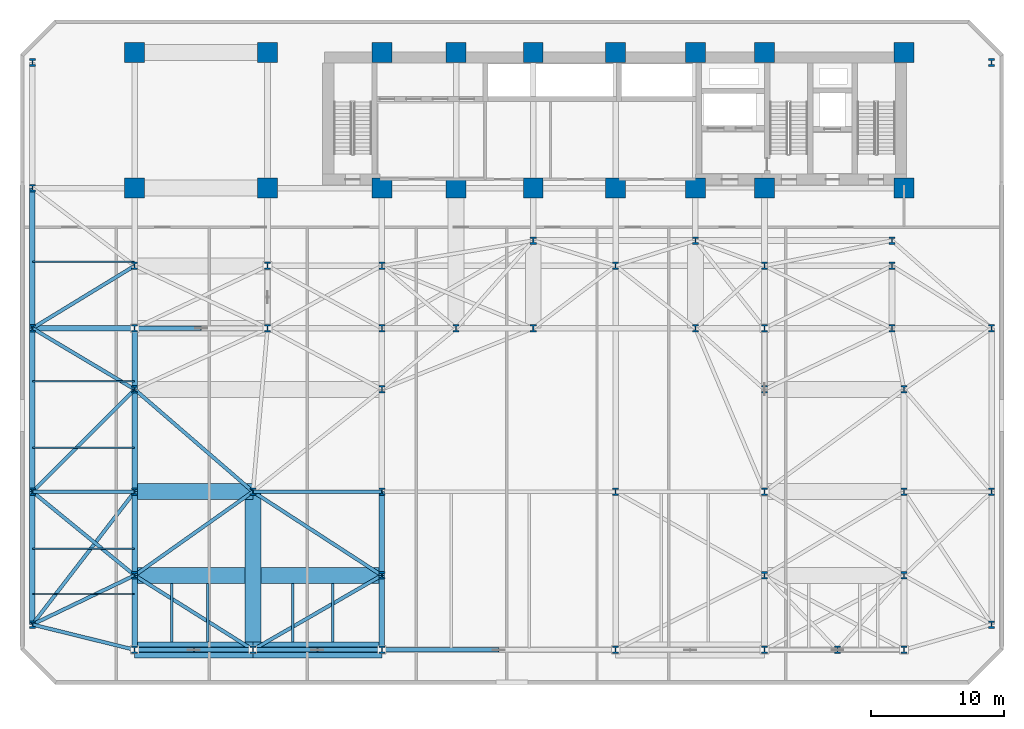
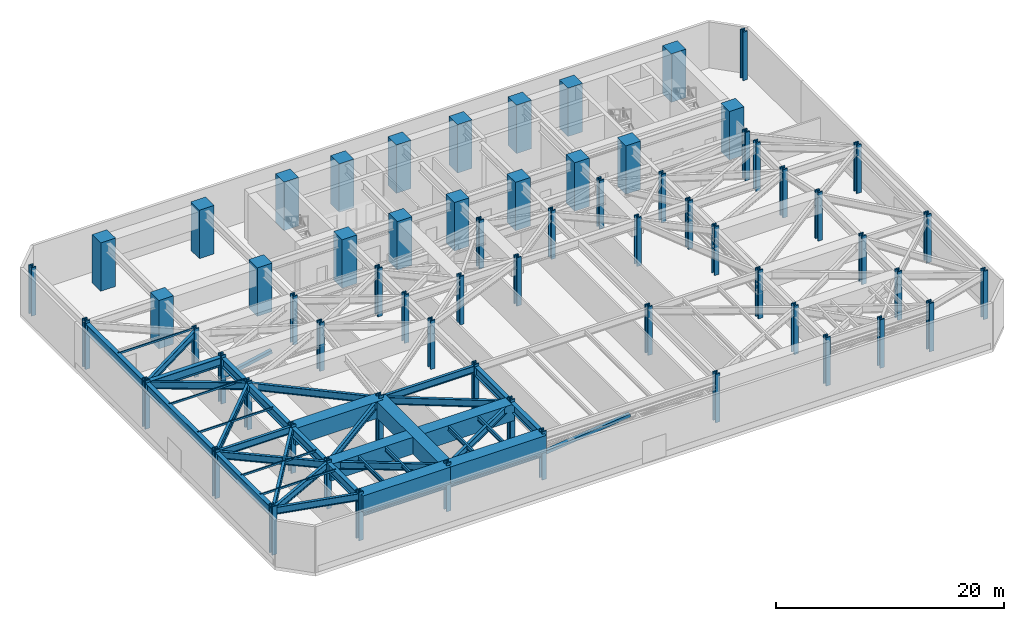
# One storey, part 1 of 14: 65 columns, 33 beams, 13 members.
"""IFC4 building model written with IfcOpenShell, lengths in metres."""

from ifc_helpers import new_model, si_unit, direction, frame, origin, origin_2d, place, context, subcontext, project, spatial, rectangle, hollow_rectangle, i_section, extrude, material, material_profile, profile_set, type_object, element, save


model = new_model("IFC4")

# Units and contexts
model_context = context("Model", 3, precision=1e-05, world=origin(), true_north=direction((0.0, 1.0)))
body_context = subcontext(model_context, "Body", "Model", "MODEL_VIEW")
ifc_project = project(units=[si_unit("LENGTHUNIT", "METRE"), si_unit("AREAUNIT", "SQUARE_METRE"), si_unit("VOLUMEUNIT", "CUBIC_METRE"), si_unit("PLANEANGLEUNIT", "RADIAN"), si_unit("MASSUNIT", "GRAM", prefix="KILO")], contexts=[model_context])

# Site, building, storey
site_placement = place(None, origin())
site = spatial("IfcSite", under=ifc_project, at=site_placement, CompositionType="ELEMENT")
building_placement = place(site_placement, origin())
building = spatial("IfcBuilding", under=site, at=building_placement, Name="Kravanh Interchange Tower", CompositionType="ELEMENT")
storey_placement = place(building_placement, frame((0.0, 0.0, 24.300048828125)))
storey = spatial("IfcBuildingStorey", under=building, at=storey_placement, Name="L05", CompositionType="ELEMENT", Elevation=24.300048828125)

# Columns
ifc_material_1 = material(Name="Concrete C80/95", Category="concrete")
ifc_material_profile_1 = material_profile(ifc_material_1, rectangle(XDim=1.5, YDim=1.5, at=origin_2d()), Name="RC1500X1500")
ifc_profile_set_1 = profile_set([ifc_material_profile_1], Name="Concrete C80/95")
column_type_1 = type_object("IfcColumnType", Name="Column RC1500X1500 Concrete C80/95", PredefinedType="COLUMN", material=ifc_profile_set_1)
for number, where, z_axis, x_axis, name in (
    (1, (66.5, 47.550048828125, 0.0), (0.0, 0.0, 1.0), (1.0, 0.0, 0.0), "L05 Column CS01"),
    (2, (56.0, 47.550048828125, 0.0), (0.0, 0.0, 1.0), (1.0, 0.0, 0.0), "L05 Column CS02"),
    (3, (66.5, 37.35009765625, 0.0), (0.0, 0.0, 1.0), (1.0, 0.0, 0.0), "L05 Column CS03"),
    (4, (56.0, 37.35009765625, 0.0), (0.0, 0.0, 1.0), (1.0, 0.0, 0.0), "L05 Column CS04"),
    (5, (50.800048828125, 47.550048828125, 0.0), (0.0, 0.0, 1.0), (1.0, 0.0, 0.0), "L05 Column CS05"),
    (6, (50.800048828125, 37.35009765625, 0.0), (0.0, 0.0, 1.0), (1.0, 0.0, 0.0), "L05 Column CS06"),
    (7, (44.800048828125, 37.35009765625, 0.0), (0.0, 0.0, 1.0), (1.0, 0.0, 0.0), "L05 Column CS07"),
    (8, (44.800048828125, 47.550048828125, 0.0), (0.0, 0.0, 1.0), (1.0, 0.0, 0.0), "L05 Column CS08"),
    (9, (38.60009765625, 37.35009765625, 0.0), (0.0, 0.0, 1.0), (1.0, 0.0, 0.0), "L05 Column CS09"),
    (10, (38.60009765625, 47.550048828125, 0.0), (0.0, 0.0, 1.0), (1.0, 0.0, 0.0), "L05 Column CS10"),
    (11, (32.800048828125, 37.35009765625, 0.0), (0.0, 0.0, 1.0), (1.0, 0.0, 0.0), "L05 Column CS11"),
    (12, (32.800048828125, 47.550048828125, 0.0), (0.0, 0.0, 1.0), (1.0, 0.0, 0.0), "L05 Column CS12"),
    (13, (27.199951171875, 37.35009765625, 0.0), (0.0, 0.0, 1.0), (1.0, 0.0, 0.0), "L05 Column CS13"),
    (14, (27.199951171875, 47.550048828125, 0.0), (0.0, 0.0, 1.0), (1.0, 0.0, 0.0), "L05 Column CS14"),
    (15, (18.60009765625, 37.35009765625, 0.0), (0.0, 0.0, 1.0), (1.0, 0.0, 0.0), "L05 Column CS17"),
    (16, (18.60009765625, 47.550048828125, 0.0), (0.0, 0.0, 1.0), (1.0, 0.0, 0.0), "L05 Column CS18"),
    (17, (8.60009765625, 37.35009765625, 0.0), (0.0, 0.0, 1.0), (1.0, 0.0, 0.0), "L05 Column CS23"),
    (18, (8.60009765625, 47.550048828125, 0.0), (0.0, 0.0, 1.0), (1.0, 0.0, 0.0), "L05 Column CS24"),
):
    element("IfcColumn", number, at=place(storey_placement, frame(where, z_axis=z_axis, x_axis=x_axis)), inside=storey, type_object=column_type_1, Name=name, PredefinedType="COLUMN", context=body_context, shape_type="SweptSolid", body=[
        extrude(rectangle(XDim=1.5, YDim=1.5, at=origin_2d()), origin(), (0.0, 0.0, 1.0), 5.199951171875),
    ])
ifc_material_2 = material(Name="Structural Steel S450", Category="steel")
ifc_material_profile_2 = material_profile(ifc_material_2, i_section(OverallWidth=0.4541015625, OverallDepth=0.569091796875, WebThickness=0.077880859375, FlangeThickness=0.124755859375, FilletRadius=0.030029296875, at=origin_2d()), Name="W14X730")
ifc_profile_set_2 = profile_set([ifc_material_profile_2], Name="Structural Steel S450")
column_type_2 = type_object("IfcColumnType", Name="Column W14X730 Structural Steel S450", PredefinedType="COLUMN", material=ifc_profile_set_2)
for number, where, z_axis, x_axis, name in (
    (19, (8.60009765625, 2.60009765625, 0.0), (0.0, 0.0, 1.0), (1.0, 0.0, 0.0), "L05 Column CP01"),
    (20, (17.5, 2.60009765625, 0.0), (0.0, 0.0, 1.0), (1.0, 0.0, 0.0), "L05 Column CP02"),
    (21, (27.199951171875, 2.60009765625, 0.0), (0.0, 0.0, 1.0), (1.0, 0.0, 0.0), "L05 Column CP03"),
    (22, (44.800048828125, 2.60009765625, 0.0), (0.0, 0.0, 1.0), (1.0, 0.0, 0.0), "L05 Column CP04"),
    (23, (56.0, 2.60009765625, 0.0), (0.0, 0.0, 1.0), (1.0, 0.0, 0.0), "L05 Column CP05"),
    (24, (61.5, 2.60009765625, 0.0), (0.0, 0.0, 1.0), (1.0, 0.0, 0.0), "L05 Column CP05B"),
    (25, (66.5, 2.60009765625, 0.0), (0.0, 0.0, 1.0), (1.0, 0.0, 0.0), "L05 Column CP06"),
    (26, (8.60009765625, 8.199951171875, 0.0), (0.0, 0.0, 1.0), (1.0, 0.0, 0.0), "L05 Column CP06B"),
    (27, (27.199951171875, 8.199951171875, 0.0), (0.0, 0.0, 1.0), (1.0, 0.0, 0.0), "L05 Column CP06C"),
    (28, (56.0, 8.199951171875, 0.0), (0.0, 0.0, 1.0), (1.0, 0.0, 0.0), "L05 Column CP06D"),
    (29, (66.5, 8.199951171875, 0.0), (0.0, 0.0, 1.0), (1.0, 0.0, 0.0), "L05 Column CP06E"),
    (30, (8.60009765625, 14.5, 0.0), (0.0, 0.0, 1.0), (1.0, 0.0, 0.0), "L05 Column CP07"),
    (31, (17.5, 14.5, 0.0), (0.0, 0.0, 1.0), (1.0, 0.0, 0.0), "L05 Column CP08"),
    (32, (27.199951171875, 14.5, 0.0), (0.0, 0.0, 1.0), (1.0, 0.0, 0.0), "L05 Column CP09"),
    (33, (44.800048828125, 14.5, 0.0), (0.0, 0.0, 1.0), (1.0, 0.0, 0.0), "L05 Column CP10"),
    (34, (56.0, 14.5, 0.0), (0.0, 0.0, 1.0), (1.0, 0.0, 0.0), "L05 Column CP11"),
    (35, (66.5, 14.5, 0.0), (0.0, 0.0, 1.0), (1.0, 0.0, 0.0), "L05 Column CP12"),
    (36, (8.60009765625, 22.199951171875, 0.0), (0.0, 0.0, 1.0), (1.0, 0.0, 0.0), "L05 Column CP12B"),
    (37, (27.199951171875, 22.199951171875, 0.0), (0.0, 0.0, 1.0), (1.0, 0.0, 0.0), "L05 Column CP12C"),
    (38, (56.0, 22.199951171875, 0.0), (0.0, 0.0, 1.0), (1.0, 0.0, 0.0), "L05 Column CP12D"),
    (39, (66.5, 22.199951171875, 0.0), (0.0, 0.0, 1.0), (1.0, 0.0, 0.0), "L05 Column CP12E"),
    (40, (8.60009765625, 26.800048828125, 0.0), (0.0, 0.0, 1.0), (1.0, 0.0, 0.0), "L05 Column CP13"),
    (41, (18.60009765625, 26.800048828125, 0.0), (0.0, 0.0, 1.0), (1.0, 0.0, 0.0), "L05 Column CP14"),
    (42, (27.199951171875, 26.800048828125, 0.0), (0.0, 0.0, 1.0), (1.0, 0.0, 0.0), "L05 Column CP15"),
    (43, (32.800048828125, 26.800048828125, 0.0), (0.0, 0.0, 1.0), (1.0, 0.0, 0.0), "L05 Column CP16"),
    (44, (38.60009765625, 26.800048828125, 0.0), (0.0, 0.0, 1.0), (1.0, 0.0, 0.0), "L05 Column CP16B"),
    (45, (50.800048828125, 26.800048828125, 0.0), (0.0, 0.0, 1.0), (1.0, 0.0, 0.0), "L05 Column CP17"),
    (46, (56.0, 26.800048828125, 0.0), (0.0, 0.0, 1.0), (1.0, 0.0, 0.0), "L05 Column CP18"),
    (47, (65.60009765625, 26.800048828125, 0.0), (0.0, 0.0, 1.0), (1.0, 0.0, 0.0), "L05 Column CP19"),
    (48, (8.60009765625, 31.5, 0.0), (0.0, 0.0, 1.0), (1.0, 0.0, 0.0), "L05 Column CP19B"),
    (49, (18.60009765625, 31.5, 0.0), (0.0, 0.0, 1.0), (1.0, 0.0, 0.0), "L05 Column CP20"),
    (50, (27.199951171875, 31.5, 0.0), (0.0, 0.0, 1.0), (1.0, 0.0, 0.0), "L05 Column CP21"),
    (51, (44.800048828125, 31.5, 0.0), (0.0, 0.0, 1.0), (1.0, 0.0, 0.0), "L05 Column CP22"),
    (52, (56.0, 31.5, 0.0), (0.0, 0.0, 1.0), (1.0, 0.0, 0.0), "L05 Column CP23"),
    (53, (65.60009765625, 31.5, 0.0), (0.0, 0.0, 1.0), (1.0, 0.0, 0.0), "L05 Column CP24"),
    (54, (0.89990234375, 4.5, 0.0), (0.0, 0.0, 1.0), (1.0, 0.0, 0.0), "L05 Column CP25"),
    (55, (0.89990234375, 14.5, 0.0), (0.0, 0.0, 1.0), (1.0, 0.0, 0.0), "L05 Column CP25B"),
    (56, (0.89990234375, 26.800048828125, 0.0), (0.0, 0.0, 1.0), (1.0, 0.0, 0.0), "L05 Column CP25C"),
    (57, (0.89990234375, 37.35009765625, 0.0), (0.0, 0.0, 1.0), (1.0, 0.0, 0.0), "L05 Column CP25D"),
    (58, (0.89990234375, 46.800048828125, 0.0), (0.0, 0.0, 1.0), (1.0, 0.0, 0.0), "L05 Column CP26"),
    (59, (73.10009765625, 4.5, 0.0), (0.0, 0.0, 1.0), (1.0, 0.0, 0.0), "L05 Column CP27"),
    (60, (73.10009765625, 14.5, 0.0), (0.0, 0.0, 1.0), (1.0, 0.0, 0.0), "L05 Column CP27B"),
    (61, (73.10009765625, 26.800048828125, 0.0), (0.0, 0.0, 1.0), (1.0, 0.0, 0.0), "L05 Column CP27C"),
    (62, (73.10009765625, 46.800048828125, 0.0), (0.0, 0.0, 1.0), (1.0, 0.0, 0.0), "L05 Column CP28"),
    (63, (38.60009765625, 33.39990234375, 0.0), (0.0, 0.0, 1.0), (1.0, 0.0, 0.0), "L05 Column CP_M1"),
    (64, (50.800048828125, 33.39990234375, 0.0), (0.0, 0.0, 1.0), (1.0, 0.0, 0.0), "L05 Column CP_M2"),
    (65, (65.60009765625, 33.39990234375, 0.0), (0.0, 0.0, 1.0), (1.0, 0.0, 0.0), "L05 Column CP_M3"),
):
    element("IfcColumn", number, at=place(storey_placement, frame(where, z_axis=z_axis, x_axis=x_axis)), inside=storey, type_object=column_type_2, Name=name, PredefinedType="COLUMN", context=body_context, shape_type="SweptSolid", body=[
        extrude(i_section(OverallWidth=0.4541015625, OverallDepth=0.569091796875, WebThickness=0.077880859375, FlangeThickness=0.124755859375, FilletRadius=0.030029296875, at=origin_2d()), origin(), (0.0, 0.0, 1.0), 5.199951171875),
    ])

# Beams
ifc_material_3 = material(Name="Structural Steel S450", Category="steel")
ifc_material_profile_3 = material_profile(ifc_material_3, i_section(OverallWidth=0.423095703125, OverallDepth=0.947998046875, WebThickness=0.02392578125, FlangeThickness=0.042724609375, FilletRadius=0.028076171875, at=origin_2d()), Name="W36X302")
ifc_profile_set_3 = profile_set([ifc_material_profile_3], Name="Structural Steel S450")
beam_type_1 = type_object("IfcBeamType", Name="Floor Beam W36X302 Structural Steel S450", PredefinedType="BEAM", material=ifc_profile_set_3)
for number, where, z_axis, x_axis, name in (
    (66, (8.60009765625, 2.60009765625, 4.466064453125), (0.0, 1.0, 0.0), (-1.0, 0.0, 0.0), "L05 Primary Floor Girder 1"),
    (67, (27.199951171875, 2.60009765625, 4.466064453125), (0.0, 1.0, 0.0), (-1.0, 0.0, 0.0), "L05 Primary Floor Girder 8"),
):
    element("IfcBeam", number, at=place(storey_placement, frame(where, z_axis=z_axis, x_axis=x_axis)), inside=storey, type_object=beam_type_1, Name=name, PredefinedType="BEAM", context=body_context, shape_type="SweptSolid", body=[
        extrude(i_section(OverallWidth=0.423095703125, OverallDepth=0.947998046875, WebThickness=0.02392578125, FlangeThickness=0.042724609375, FilletRadius=0.028076171875, at=origin_2d()), origin(), (0.0, 0.0, 1.0), 5.599853515625),
    ])
for number, where, z_axis, x_axis, name in (
    (68, (8.60009765625, 8.199951171875, 4.466064453125), (0.0, 1.0, 0.0), (-1.0, 0.0, 0.0), "L05 Primary Floor Girder 23"),
    (69, (27.199951171875, 8.199951171875, 4.466064453125), (0.0, 1.0, 0.0), (-1.0, 0.0, 0.0), "L05 Primary Floor Girder 27"),
):
    element("IfcBeam", number, at=place(storey_placement, frame(where, z_axis=z_axis, x_axis=x_axis)), inside=storey, type_object=beam_type_1, Name=name, PredefinedType="BEAM", context=body_context, shape_type="SweptSolid", body=[
        extrude(i_section(OverallWidth=0.423095703125, OverallDepth=0.947998046875, WebThickness=0.02392578125, FlangeThickness=0.042724609375, FilletRadius=0.028076171875, at=origin_2d()), origin(), (0.0, 0.0, 1.0), 6.300048828125),
    ])
beam_1_placement = place(storey_placement, frame((8.60009765625, 14.5, 4.466064453125), z_axis=(0.0, 1.0, 0.0), x_axis=(-1.0, 0.0, 0.0)))
element("IfcBeam", 70, at=beam_1_placement, inside=storey, type_object=beam_type_1, Name="L05 Primary Floor Girder 37", PredefinedType="BEAM", context=body_context, shape_type="SweptSolid", body=[
    extrude(i_section(OverallWidth=0.423095703125, OverallDepth=0.947998046875, WebThickness=0.02392578125, FlangeThickness=0.042724609375, FilletRadius=0.028076171875, at=origin_2d()), origin(), (0.0, 0.0, 1.0), 7.699951171875),
])
beam_2_placement = place(storey_placement, frame((8.60009765625, 22.199951171875, 4.466064453125), z_axis=(0.0, 1.0, 0.0), x_axis=(-1.0, 0.0, 0.0)))
element("IfcBeam", 71, at=beam_2_placement, inside=storey, type_object=beam_type_1, Name="L05 Primary Floor Girder 57", PredefinedType="BEAM", context=body_context, shape_type="SweptSolid", body=[
    extrude(i_section(OverallWidth=0.423095703125, OverallDepth=0.947998046875, WebThickness=0.02392578125, FlangeThickness=0.042724609375, FilletRadius=0.028076171875, at=origin_2d()), origin(), (0.0, 0.0, 1.0), 4.60009765625),
])
beam_3_placement = place(storey_placement, frame((8.60009765625, 26.800048828125, 4.466064453125), z_axis=(-1.0, 0.0, 0.0), x_axis=(0.0, -1.0, 0.0)))
element("IfcBeam", 72, at=beam_3_placement, inside=storey, type_object=beam_type_1, Name="L05 Primary Floor Girder 74", PredefinedType="BEAM", context=body_context, shape_type="SweptSolid", body=[
    extrude(i_section(OverallWidth=0.423095703125, OverallDepth=0.947998046875, WebThickness=0.02392578125, FlangeThickness=0.042724609375, FilletRadius=0.028076171875, at=origin_2d()), origin(), (0.0, 0.0, 1.0), 7.7001953125),
])
beam_4_placement = place(storey_placement, frame((0.89990234375, 4.5, 4.466064453125), z_axis=(0.0, 1.0, 0.0), x_axis=(-1.0, 0.0, 0.0)))
element("IfcBeam", 73, at=beam_4_placement, inside=storey, type_object=beam_type_1, Name="L05 Primary Floor Girder 122", PredefinedType="BEAM", context=body_context, shape_type="SweptSolid", body=[
    extrude(i_section(OverallWidth=0.423095703125, OverallDepth=0.947998046875, WebThickness=0.02392578125, FlangeThickness=0.042724609375, FilletRadius=0.028076171875, at=origin_2d()), origin(), (0.0, 0.0, 1.0), 10.0),
])
beam_5_placement = place(storey_placement, frame((0.89990234375, 14.5, 4.466064453125), z_axis=(0.0, 1.0, 0.0), x_axis=(-1.0, 0.0, 0.0)))
element("IfcBeam", 74, at=beam_5_placement, inside=storey, type_object=beam_type_1, Name="L05 Primary Floor Girder 123", PredefinedType="BEAM", context=body_context, shape_type="SweptSolid", body=[
    extrude(i_section(OverallWidth=0.423095703125, OverallDepth=0.947998046875, WebThickness=0.02392578125, FlangeThickness=0.042724609375, FilletRadius=0.028076171875, at=origin_2d()), origin(), (0.0, 0.0, 1.0), 12.300048828125),
])
beam_6_placement = place(storey_placement, frame((0.89990234375, 26.800048828125, 4.466064453125), z_axis=(0.0, 1.0, 0.0), x_axis=(-1.0, 0.0, 0.0)))
element("IfcBeam", 75, at=beam_6_placement, inside=storey, type_object=beam_type_1, Name="L05 Primary Floor Girder 124", PredefinedType="BEAM", context=body_context, shape_type="SweptSolid", body=[
    extrude(i_section(OverallWidth=0.423095703125, OverallDepth=0.947998046875, WebThickness=0.02392578125, FlangeThickness=0.042724609375, FilletRadius=0.028076171875, at=origin_2d()), origin(), (0.0, 0.0, 1.0), 10.550048828125),
])
ifc_material_4 = material(Name="Structural Steel S355", Category="steel")
ifc_material_profile_4 = material_profile(ifc_material_4, i_section(OverallWidth=0.18994140625, OverallDepth=0.45703125, WebThickness=0.009033203125, FlangeThickness=0.014404296875, FilletRadius=0.01806640625, at=origin_2d()), Name="W18X50")
ifc_profile_set_4 = profile_set([ifc_material_profile_4], Name="Structural Steel S355")
beam_type_2 = type_object("IfcBeamType", Name="Floor Joist W18X50 Structural Steel S355", PredefinedType="JOIST", material=ifc_profile_set_4)
for number, where, z_axis, x_axis, name in (
    (76, (11.3779296875, 3.195068359375, 4.71142578125), (0.0, 1.0, 0.0), (-1.0, 0.0, 0.0), "L05 Secondary Floor Joist 1"),
    (77, (14.114013671875, 3.195068359375, 4.71142578125), (0.0, 1.0, 0.0), (-1.0, 0.0, 0.0), "L05 Secondary Floor Joist 2"),
    (78, (20.501953125, 3.195068359375, 4.71142578125), (0.0, 1.0, 0.0), (-1.0, 0.0, 0.0), "L05 Secondary Floor Joist 3"),
    (79, (23.52587890625, 3.195068359375, 4.71142578125), (0.0, 1.0, 0.0), (-1.0, 0.0, 0.0), "L05 Secondary Floor Joist 4"),
):
    element("IfcBeam", number, at=place(storey_placement, frame(where, z_axis=z_axis, x_axis=x_axis)), inside=storey, type_object=beam_type_2, Name=name, PredefinedType="JOIST", context=body_context, shape_type="SweptSolid", body=[
        extrude(i_section(OverallWidth=0.18994140625, OverallDepth=0.45703125, WebThickness=0.009033203125, FlangeThickness=0.014404296875, FilletRadius=0.01806640625, at=origin_2d()), origin(), (0.0, 0.0, 1.0), 4.409912109375),
    ])
ifc_material_5 = material(Name="Structural Steel S355", Category="steel")
ifc_material_profile_5 = material_profile(ifc_material_5, i_section(OverallWidth=0.26708984375, OverallDepth=0.761962890625, WebThickness=0.014404296875, FlangeThickness=0.021484375, FilletRadius=0.02490234375, at=origin_2d()), Name="W30X116")
ifc_profile_set_5 = profile_set([ifc_material_profile_5], Name="Structural Steel S355")
beam_type_3 = type_object("IfcBeamType", Name="Floor Spandrel W30X116 Structural Steel S355", PredefinedType="SPANDREL", material=ifc_profile_set_5)
beam_7_placement = place(storey_placement, frame((8.60009765625, 2.60009765625, 4.558837890625), z_axis=(-0.970883936595, 0.239550373956, 0.0), x_axis=(-0.239550373956, -0.970883936595, 0.0)))
element("IfcBeam", 80, at=beam_7_placement, inside=storey, type_object=beam_type_3, Name="L05 Perimeter Spandrel 2", PredefinedType="SPANDREL", context=body_context, shape_type="SweptSolid", body=[
    extrude(i_section(OverallWidth=0.26708984375, OverallDepth=0.761962890625, WebThickness=0.014404296875, FlangeThickness=0.021484375, FilletRadius=0.02490234375, at=origin_2d()), origin(), (0.0, 0.0, 1.0), 7.93115234375),
])
beam_8_placement = place(storey_placement, frame((17.5, 2.60009765625, 4.558837890625), z_axis=(-0.846395259538, 0.532555222143, 0.0), x_axis=(-0.532555222143, -0.846395259538, 0.0)))
element("IfcBeam", 81, at=beam_8_placement, inside=storey, type_object=beam_type_3, Name="L05 Perimeter Spandrel 5", PredefinedType="SPANDREL", context=body_context, shape_type="SweptSolid", body=[
    extrude(i_section(OverallWidth=0.26708984375, OverallDepth=0.761962890625, WebThickness=0.014404296875, FlangeThickness=0.021484375, FilletRadius=0.02490234375, at=origin_2d()), origin(), (0.0, 0.0, 1.0), 10.51513671875),
])
beam_9_placement = place(storey_placement, frame((17.5, 2.60009765625, 4.558837890625), z_axis=(0.866041482502, 0.499972149811, 0.0), x_axis=(-0.499972149811, 0.866041482502, 0.0)))
element("IfcBeam", 82, at=beam_9_placement, inside=storey, type_object=beam_type_3, Name="L05 Perimeter Spandrel 6", PredefinedType="SPANDREL", context=body_context, shape_type="SweptSolid", body=[
    extrude(i_section(OverallWidth=0.26708984375, OverallDepth=0.761962890625, WebThickness=0.014404296875, FlangeThickness=0.021484375, FilletRadius=0.02490234375, at=origin_2d()), origin(), (0.0, 0.0, 1.0), 11.200439453125),
])
beam_10_placement = place(storey_placement, frame((8.60009765625, 8.199951171875, 4.558837890625), z_axis=(-0.901346832937, -0.433098010563, 0.0), x_axis=(0.433098010563, -0.901346832937, 0.0)))
element("IfcBeam", 83, at=beam_10_placement, inside=storey, type_object=beam_type_3, Name="L05 Perimeter Spandrel 24", PredefinedType="SPANDREL", context=body_context, shape_type="SweptSolid", body=[
    extrude(i_section(OverallWidth=0.26708984375, OverallDepth=0.761962890625, WebThickness=0.014404296875, FlangeThickness=0.021484375, FilletRadius=0.02490234375, at=origin_2d()), origin(), (0.0, 0.0, 1.0), 8.54296875),
])
beam_11_placement = place(storey_placement, frame((8.60009765625, 8.199951171875, 4.558837890625), z_axis=(-0.773962765803, 0.633231108799, 0.0), x_axis=(-0.633231108799, -0.773962765803, 0.0)))
element("IfcBeam", 84, at=beam_11_placement, inside=storey, type_object=beam_type_3, Name="L05 Perimeter Spandrel 25", PredefinedType="SPANDREL", context=body_context, shape_type="SweptSolid", body=[
    extrude(i_section(OverallWidth=0.26708984375, OverallDepth=0.761962890625, WebThickness=0.014404296875, FlangeThickness=0.021484375, FilletRadius=0.02490234375, at=origin_2d()), origin(), (0.0, 0.0, 1.0), 9.948974609375),
])
beam_12_placement = place(storey_placement, frame((8.60009765625, 8.199951171875, 4.558837890625), z_axis=(0.816199576272, 0.577770068187, 0.0), x_axis=(-0.577770068187, 0.816199576272, 0.0)))
element("IfcBeam", 85, at=beam_12_placement, inside=storey, type_object=beam_type_3, Name="L05 Perimeter Spandrel 26", PredefinedType="SPANDREL", context=body_context, shape_type="SweptSolid", body=[
    extrude(i_section(OverallWidth=0.26708984375, OverallDepth=0.761962890625, WebThickness=0.014404296875, FlangeThickness=0.021484375, FilletRadius=0.02490234375, at=origin_2d()), origin(), (0.0, 0.0, 1.0), 10.904052734375),
])
beam_13_placement = place(storey_placement, frame((27.199951171875, 8.199951171875, 4.558837890625), z_axis=(-0.838637911458, 0.544689318295, 0.0), x_axis=(-0.544689318295, -0.838637911458, 0.0)))
element("IfcBeam", 86, at=beam_13_placement, inside=storey, type_object=beam_type_3, Name="L05 Perimeter Spandrel 28", PredefinedType="SPANDREL", context=body_context, shape_type="SweptSolid", body=[
    extrude(i_section(OverallWidth=0.26708984375, OverallDepth=0.761962890625, WebThickness=0.014404296875, FlangeThickness=0.021484375, FilletRadius=0.02490234375, at=origin_2d()), origin(), (0.0, 0.0, 1.0), 11.56640625),
])
beam_14_placement = place(storey_placement, frame((8.60009765625, 14.5, 4.558837890625), z_axis=(-1.0, 0.0, 0.0), x_axis=(0.0, -1.0, 0.0)))
element("IfcBeam", 87, at=beam_14_placement, inside=storey, type_object=beam_type_3, Name="L05 Perimeter Spandrel 38", PredefinedType="SPANDREL", context=body_context, shape_type="SweptSolid", body=[
    extrude(i_section(OverallWidth=0.26708984375, OverallDepth=0.761962890625, WebThickness=0.014404296875, FlangeThickness=0.021484375, FilletRadius=0.02490234375, at=origin_2d()), origin(), (0.0, 0.0, 1.0), 7.7001953125),
])
beam_15_placement = place(storey_placement, frame((8.60009765625, 14.5, 4.558837890625), z_axis=(-0.610103314761, -0.792321869771, 0.0), x_axis=(0.792321869771, -0.610103314761, 0.0)))
element("IfcBeam", 88, at=beam_15_placement, inside=storey, type_object=beam_type_3, Name="L05 Perimeter Spandrel 40", PredefinedType="SPANDREL", context=body_context, shape_type="SweptSolid", body=[
    extrude(i_section(OverallWidth=0.26708984375, OverallDepth=0.761962890625, WebThickness=0.014404296875, FlangeThickness=0.021484375, FilletRadius=0.02490234375, at=origin_2d()), origin(), (0.0, 0.0, 1.0), 12.62109375),
])
beam_16_placement = place(storey_placement, frame((17.5, 14.5, 4.558837890625), z_axis=(1.0, 0.0, 0.0), x_axis=(0.0, 1.0, 0.0)))
element("IfcBeam", 89, at=beam_16_placement, inside=storey, type_object=beam_type_3, Name="L05 Perimeter Spandrel 41", PredefinedType="SPANDREL", context=body_context, shape_type="SweptSolid", body=[
    extrude(i_section(OverallWidth=0.26708984375, OverallDepth=0.761962890625, WebThickness=0.014404296875, FlangeThickness=0.021484375, FilletRadius=0.02490234375, at=origin_2d()), origin(), (0.0, 0.0, 1.0), 9.699951171875),
])
beam_17_placement = place(storey_placement, frame((17.5, 14.5, 4.558837890625), z_axis=(-0.756248034465, 0.654285037554, 0.0), x_axis=(-0.654285037554, -0.756248034465, 0.0)))
element("IfcBeam", 90, at=beam_17_placement, inside=storey, type_object=beam_type_3, Name="L05 Perimeter Spandrel 42", PredefinedType="SPANDREL", context=body_context, shape_type="SweptSolid", body=[
    extrude(i_section(OverallWidth=0.26708984375, OverallDepth=0.761962890625, WebThickness=0.014404296875, FlangeThickness=0.021484375, FilletRadius=0.02490234375, at=origin_2d()), origin(), (0.0, 0.0, 1.0), 11.7685546875),
])
beam_18_placement = place(storey_placement, frame((8.60009765625, 22.199951171875, 4.558837890625), z_axis=(-0.858476029739, 0.512853689041, 0.0), x_axis=(-0.512853689041, -0.858476029739, 0.0)))
element("IfcBeam", 91, at=beam_18_placement, inside=storey, type_object=beam_type_3, Name="L05 Perimeter Spandrel 58", PredefinedType="SPANDREL", context=body_context, shape_type="SweptSolid", body=[
    extrude(i_section(OverallWidth=0.26708984375, OverallDepth=0.761962890625, WebThickness=0.014404296875, FlangeThickness=0.021484375, FilletRadius=0.02490234375, at=origin_2d()), origin(), (0.0, 0.0, 1.0), 8.9697265625),
])
beam_19_placement = place(storey_placement, frame((8.60009765625, 22.199951171875, 4.558837890625), z_axis=(-0.707117990958, -0.707095571237, 0.0), x_axis=(0.707095571237, -0.707117990958, 0.0)))
element("IfcBeam", 92, at=beam_19_placement, inside=storey, type_object=beam_type_3, Name="L05 Perimeter Spandrel 59", PredefinedType="SPANDREL", context=body_context, shape_type="SweptSolid", body=[
    extrude(i_section(OverallWidth=0.26708984375, OverallDepth=0.761962890625, WebThickness=0.014404296875, FlangeThickness=0.021484375, FilletRadius=0.02490234375, at=origin_2d()), origin(), (0.0, 0.0, 1.0), 10.8896484375),
])
beam_20_placement = place(storey_placement, frame((8.60009765625, 31.5, 4.558837890625), z_axis=(-0.85356401423, -0.520987978375, 0.0), x_axis=(0.520987978375, -0.85356401423, 0.0)))
element("IfcBeam", 93, at=beam_20_placement, inside=storey, type_object=beam_type_3, Name="L05 Perimeter Spandrel 105", PredefinedType="SPANDREL", context=body_context, shape_type="SweptSolid", body=[
    extrude(i_section(OverallWidth=0.26708984375, OverallDepth=0.761962890625, WebThickness=0.014404296875, FlangeThickness=0.021484375, FilletRadius=0.02490234375, at=origin_2d()), origin(), (0.0, 0.0, 1.0), 9.021240234375),
])

# Members
ifc_material_6 = material(Name="Structural Steel S355", Category="steel")
ifc_material_profile_6 = material_profile(ifc_material_6, hollow_rectangle(XDim=0.10009765625, YDim=0.199951171875, WallThickness=0.008056640625, at=origin_2d()), Name="HSS200X100X8")
ifc_profile_set_6 = profile_set([ifc_material_profile_6], Name="Structural Steel S355")
member_type_1 = type_object("IfcMemberType", Name="Skylight Frame Purlin HSS200X100X8 Structural Steel S355", PredefinedType="PURLIN", material=ifc_profile_set_6)
for number, where, z_axis, x_axis, name in (
    (94, (0.89990234375, 6.800048828125, 4.849853515625), (1.0, 0.0, 0.0), (0.0, 1.0, 0.0), "Podium Skylight Support Purlin 1"),
    (95, (0.89990234375, 10.199951171875, 4.849853515625), (1.0, 0.0, 0.0), (0.0, 1.0, 0.0), "Podium Skylight Support Purlin 2"),
    (96, (0.89990234375, 17.800048828125, 4.849853515625), (1.0, 0.0, 0.0), (0.0, 1.0, 0.0), "Podium Skylight Support Purlin 3"),
    (97, (0.89990234375, 22.800048828125, 4.849853515625), (1.0, 0.0, 0.0), (0.0, 1.0, 0.0), "Podium Skylight Support Purlin 4"),
    (98, (0.89990234375, 31.800048828125, 4.849853515625), (1.0, 0.0, 0.0), (0.0, 1.0, 0.0), "Podium Skylight Support Purlin 5"),
):
    element("IfcMember", number, at=place(storey_placement, frame(where, z_axis=z_axis, x_axis=x_axis)), inside=storey, type_object=member_type_1, Name=name, PredefinedType="PURLIN", context=body_context, shape_type="SweptSolid", body=[
        extrude(hollow_rectangle(XDim=0.10009765625, YDim=0.199951171875, WallThickness=0.008056640625, at=origin_2d()), origin(), (0.0, 0.0, 1.0), 7.7001953125),
    ])

# Beams
ifc_material_7 = material(Name="Concrete C70/85", Category="concrete")
ifc_material_profile_7 = material_profile(ifc_material_7, rectangle(XDim=1.199951171875, YDim=1.800048828125, at=origin_2d()), Name="TG1200X1800")
ifc_profile_set_7 = profile_set([ifc_material_profile_7], Name="Concrete C70/85")
beam_type_4 = type_object("IfcBeamType", Name="Transfer Girder TG1200X1800 Concrete C70/85", PredefinedType="BEAM", material=ifc_profile_set_7)
beam_21_placement = place(storey_placement, frame((8.60009765625, 2.60009765625, 4.0400390625), z_axis=(1.0, 0.0, 0.0), x_axis=(0.0, 1.0, 0.0)))
element("IfcBeam", 99, at=beam_21_placement, inside=storey, type_object=beam_type_4, Name="L05 TRANSFER GIRDER TG-3", PredefinedType="BEAM", context=body_context, shape_type="SweptSolid", body=[
    extrude(rectangle(XDim=1.199951171875, YDim=1.800048828125, at=origin_2d()), origin(), (0.0, 0.0, 1.0), 8.89990234375),
])
beam_22_placement = place(storey_placement, frame((17.5, 2.60009765625, 4.0400390625), z_axis=(1.0, 0.0, 0.0), x_axis=(0.0, 1.0, 0.0)))
element("IfcBeam", 100, at=beam_22_placement, inside=storey, type_object=beam_type_4, Name="L05 TRANSFER GIRDER TG-4", PredefinedType="BEAM", context=body_context, shape_type="SweptSolid", body=[
    extrude(rectangle(XDim=1.199951171875, YDim=1.800048828125, at=origin_2d()), origin(), (0.0, 0.0, 1.0), 9.699951171875),
])
beam_23_placement = place(storey_placement, frame((8.60009765625, 8.199951171875, 4.0400390625), z_axis=(1.0, 0.0, 0.0), x_axis=(0.0, 1.0, 0.0)))
element("IfcBeam", 101, at=beam_23_placement, inside=storey, type_object=beam_type_4, Name="L05 TRANSFER GIRDER TG-6", PredefinedType="BEAM", context=body_context, shape_type="SweptSolid", body=[
    extrude(rectangle(XDim=1.199951171875, YDim=1.800048828125, at=origin_2d()), origin(), (0.0, 0.0, 1.0), 18.599853515625),
])
beam_24_placement = place(storey_placement, frame((17.5, 2.60009765625, 4.0400390625), z_axis=(0.0, 1.0, 0.0), x_axis=(-1.0, 0.0, 0.0)))
element("IfcBeam", 102, at=beam_24_placement, inside=storey, type_object=beam_type_4, Name="L05 TRANSFER GIRDER TG-7", PredefinedType="BEAM", context=body_context, shape_type="SweptSolid", body=[
    extrude(rectangle(XDim=1.199951171875, YDim=1.800048828125, at=origin_2d()), origin(), (0.0, 0.0, 1.0), 11.89990234375),
])
beam_25_placement = place(storey_placement, frame((8.60009765625, 14.5, 4.0400390625), z_axis=(1.0, 0.0, 0.0), x_axis=(0.0, 1.0, 0.0)))
element("IfcBeam", 103, at=beam_25_placement, inside=storey, type_object=beam_type_4, Name="L05 TRANSFER GIRDER TG-10", PredefinedType="BEAM", context=body_context, shape_type="SweptSolid", body=[
    extrude(rectangle(XDim=1.199951171875, YDim=1.800048828125, at=origin_2d()), origin(), (0.0, 0.0, 1.0), 8.89990234375),
])

# Members
ifc_material_8 = material(Name="Structural Steel S450", Category="steel")
ifc_material_profile_8 = material_profile(ifc_material_8, i_section(OverallWidth=0.44189453125, OverallDepth=0.531005859375, WebThickness=0.06591796875, FlangeThickness=0.105712890625, FilletRadius=0.030029296875, at=origin_2d()), Name="W14X605")
ifc_profile_set_8 = profile_set([ifc_material_profile_8], Name="Structural Steel S450")
member_type_2 = type_object("IfcMemberType", Name="Transfer Truss Chord W14X605 Structural Steel S450", PredefinedType="CHORD", material=ifc_profile_set_8)
member_1_placement = place(storey_placement, frame((8.60009765625, 2.60009765625, 2.699951171875), z_axis=(1.0, 0.0, 0.0), x_axis=(0.0, 1.0, 0.0)))
element("IfcMember", 104, at=member_1_placement, inside=storey, type_object=member_type_2, Name="L05 TRANSFER TRUSS BOTTOM CHORD 1", PredefinedType="CHORD", context=body_context, shape_type="SweptSolid", body=[
    extrude(i_section(OverallWidth=0.44189453125, OverallDepth=0.531005859375, WebThickness=0.06591796875, FlangeThickness=0.105712890625, FilletRadius=0.030029296875, at=origin_2d()), origin(), (0.0, 0.0, 1.0), 8.89990234375),
])
member_2_placement = place(storey_placement, frame((17.5, 2.60009765625, 2.699951171875), z_axis=(1.0, 0.0, 0.0), x_axis=(0.0, 1.0, 0.0)))
element("IfcMember", 105, at=member_2_placement, inside=storey, type_object=member_type_2, Name="L05 TRANSFER TRUSS BOTTOM CHORD 2", PredefinedType="CHORD", context=body_context, shape_type="SweptSolid", body=[
    extrude(i_section(OverallWidth=0.44189453125, OverallDepth=0.531005859375, WebThickness=0.06591796875, FlangeThickness=0.105712890625, FilletRadius=0.030029296875, at=origin_2d()), origin(), (0.0, 0.0, 1.0), 9.699951171875),
])
ifc_material_9 = material(Name="Structural Steel S450", Category="steel")
ifc_material_profile_9 = material_profile(ifc_material_9, hollow_rectangle(XDim=0.35009765625, YDim=0.35009765625, WallThickness=0.01611328125, at=origin_2d()), Name="HSS350X350X16")
ifc_profile_set_9 = profile_set([ifc_material_profile_9], Name="Structural Steel S450")
member_type_3 = type_object("IfcMemberType", Name="Transfer Truss Diagonal HSS350X350X16 Structural Steel S450", PredefinedType="BRACE", material=ifc_profile_set_9)
for number, where, z_axis, x_axis, name in (
    (106, (8.60009765625, 2.60009765625, 2.699951171875), (0.973663206001, 0.0, 0.227991142986), (0.0, 1.0, 0.0), "L05 TRANSFER TRUSS DIAGONAL 1A"),
    (107, (17.5, 2.60009765625, 2.699951171875), (-0.973663206001, 0.0, 0.227991142986), (0.0, -1.0, 0.0), "L05 TRANSFER TRUSS DIAGONAL 1B"),
):
    element("IfcMember", number, at=place(storey_placement, frame(where, z_axis=z_axis, x_axis=x_axis)), inside=storey, type_object=member_type_3, Name=name, PredefinedType="BRACE", context=body_context, shape_type="SweptSolid", body=[
        extrude(hollow_rectangle(XDim=0.35009765625, YDim=0.35009765625, WallThickness=0.01611328125, at=origin_2d()), origin(), (0.0, 0.0, 1.0), 4.5703125),
    ])
member_3_placement = place(storey_placement, frame((17.5, 2.60009765625, 2.699951171875), z_axis=(0.97769136485, 0.0, 0.210046649813), x_axis=(0.0, 1.0, 0.0)))
element("IfcMember", 108, at=member_3_placement, inside=storey, type_object=member_type_3, Name="L05 TRANSFER TRUSS DIAGONAL 2A", PredefinedType="BRACE", context=body_context, shape_type="SweptSolid", body=[
    extrude(hollow_rectangle(XDim=0.35009765625, YDim=0.35009765625, WallThickness=0.01611328125, at=origin_2d()), origin(), (0.0, 0.0, 1.0), 4.960693359375),
])
member_4_placement = place(storey_placement, frame((27.199951171875, 2.60009765625, 2.699951171875), z_axis=(-0.977689193378, 0.0, 0.210056756976), x_axis=(0.0, -1.0, 0.0)))
element("IfcMember", 109, at=member_4_placement, inside=storey, type_object=member_type_3, Name="L05 TRANSFER TRUSS DIAGONAL 2B", PredefinedType="BRACE", context=body_context, shape_type="SweptSolid", body=[
    extrude(hollow_rectangle(XDim=0.35009765625, YDim=0.35009765625, WallThickness=0.01611328125, at=origin_2d()), origin(), (0.0, 0.0, 1.0), 4.96044921875),
])
member_5_placement = place(storey_placement, frame((27.199951171875, 2.60009765625, 2.699951171875), z_axis=(0.993062689499, 0.0, 0.11758611621), x_axis=(0.0, 1.0, 0.0)))
element("IfcMember", 110, at=member_5_placement, inside=storey, type_object=member_type_3, Name="L05 TRANSFER TRUSS DIAGONAL 3A", PredefinedType="BRACE", context=body_context, shape_type="SweptSolid", body=[
    extrude(hollow_rectangle(XDim=0.35009765625, YDim=0.35009765625, WallThickness=0.01611328125, at=origin_2d()), origin(), (0.0, 0.0, 1.0), 8.861572265625),
])
member_6_placement = place(storey_placement, frame((8.60009765625, 26.800048828125, 2.699951171875), z_axis=(0.978967692066, 0.0, 0.20401533739), x_axis=(0.0, 1.0, 0.0)))
element("IfcMember", 111, at=member_6_placement, inside=storey, type_object=member_type_3, Name="L05 TRANSFER TRUSS DIAGONAL 8A", PredefinedType="BRACE", context=body_context, shape_type="SweptSolid", body=[
    extrude(hollow_rectangle(XDim=0.35009765625, YDim=0.35009765625, WallThickness=0.01611328125, at=origin_2d()), origin(), (0.0, 0.0, 1.0), 5.107421875),
])

save(model, "model.ifc")
